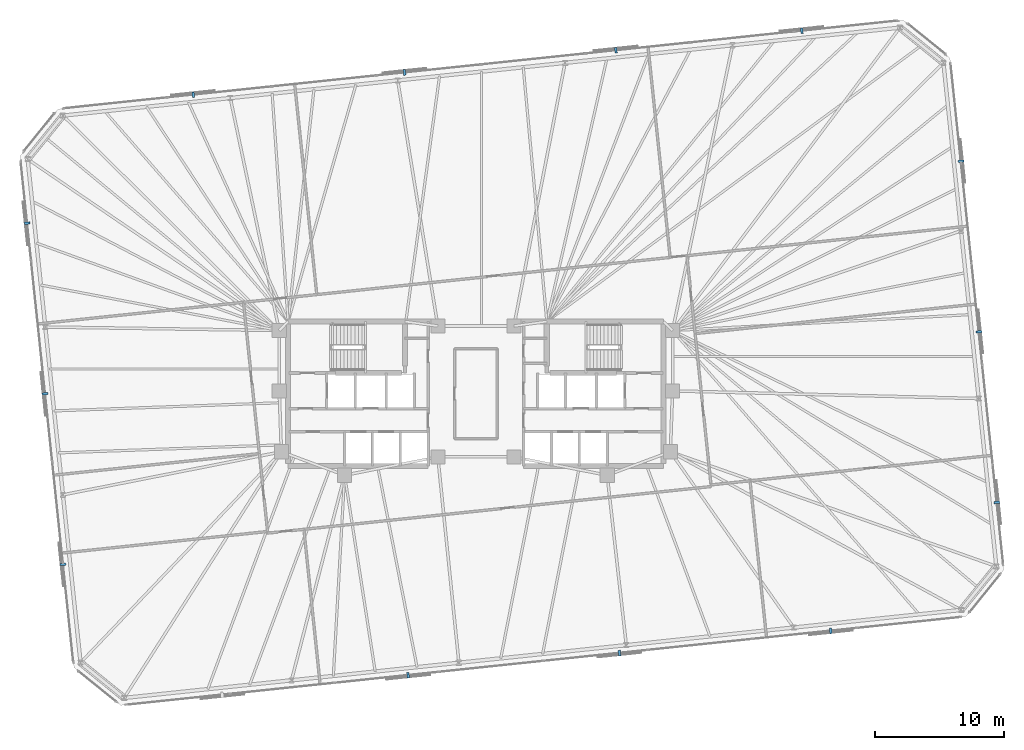
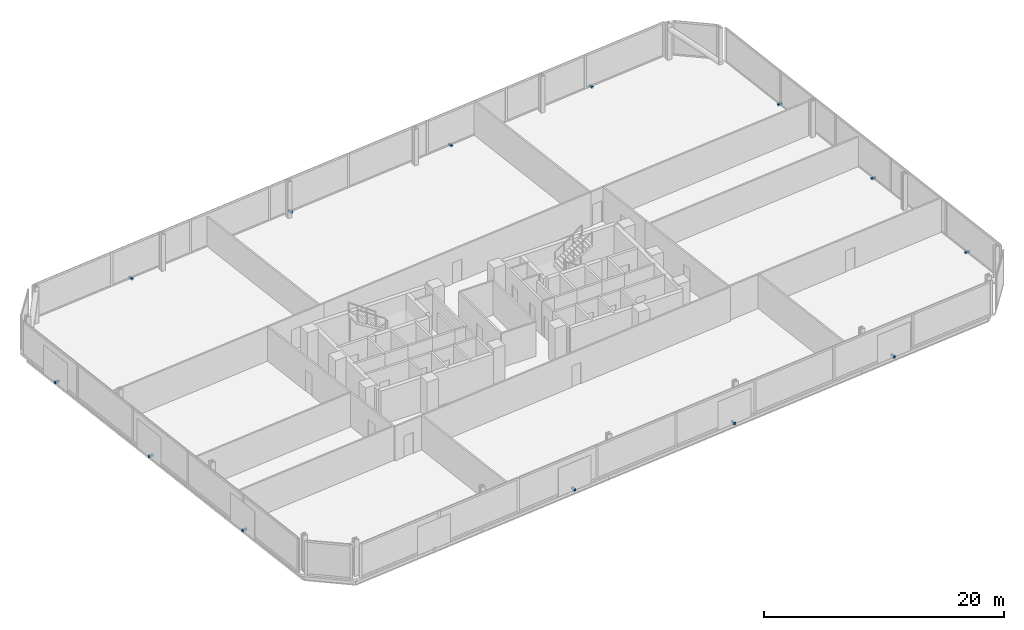
# One storey, part 17 of 18: 13 discrete accessories.
"""IFC4 building model written with IfcOpenShell, lengths in metres."""

from ifc_helpers import new_model, si_unit, direction, frame, origin, origin_2d, place, context, subcontext, project, spatial, rectangle, extrude, material, type_object, element, save


model = new_model("IFC4")

# Units and contexts
model_context = context("Model", 3, precision=1e-05, world=origin(), true_north=direction((0.0, 1.0)))
body_context = subcontext(model_context, "Body", "Model", "MODEL_VIEW")
ifc_project = project(units=[si_unit("LENGTHUNIT", "METRE"), si_unit("AREAUNIT", "SQUARE_METRE"), si_unit("VOLUMEUNIT", "CUBIC_METRE"), si_unit("PLANEANGLEUNIT", "RADIAN"), si_unit("MASSUNIT", "GRAM", prefix="KILO")], contexts=[model_context])

# Site, building, storey
site_placement = place(None, origin())
site = spatial("IfcSite", under=ifc_project, at=site_placement, CompositionType="ELEMENT")
building_placement = place(site_placement, origin())
building = spatial("IfcBuilding", under=site, at=building_placement, Name="Menara Jurai Vektor", CompositionType="ELEMENT")
storey_placement = place(building_placement, frame((0.0, 0.0, 135.5)))
storey = spatial("IfcBuildingStorey", under=building, at=storey_placement, Name="L34", CompositionType="ELEMENT", Elevation=135.5)

# Discrete accessories
ifc_material = material(Name="Steel S355", Category="steel")
discrete_accessory_type = type_object("IfcDiscreteAccessoryType", Name="ENV-ACC-BRACKET", PredefinedType="BRACKET", material=ifc_material)
for number, where, z_axis, x_axis, name in (
    (1, (-5.2548828125, -21.834716796875, -0.1298828125), (0.0, 0.0, 1.0), (0.994521895368, 0.104528463268, 0.0), "Solar Screen Stand-Off Bracket L34-S02"),
    (2, (11.1298828125, -20.112548828125, -0.1298828125), (0.0, 0.0, 1.0), (0.994521895368, 0.104528463268, 0.0), "Solar Screen Stand-Off Bracket L34-S03"),
    (3, (27.5146484375, -18.390380859375, -0.1298828125), (0.0, 0.0, 1.0), (0.994521895368, 0.104528463268, 0.0), "Solar Screen Stand-Off Bracket L34-S04"),
    (4, (40.397705078125, -8.42578125, -0.1298828125), (0.0, 0.0, 1.0), (-0.104528463268, 0.994521895368, 0.0), "Solar Screen Stand-Off Bracket L34-S05"),
    (5, (39.00732421875, 4.80126953125, -0.1298828125), (0.0, 0.0, 1.0), (-0.104528463268, 0.994521895368, 0.0), "Solar Screen Stand-Off Bracket L34-S06"),
    (6, (37.6171875, 18.028564453125, -0.1298828125), (0.0, 0.0, 1.0), (-0.104528463268, 0.994521895368, 0.0), "Solar Screen Stand-Off Bracket L34-S07"),
    (7, (25.2734375, 28.150146484375, -0.1298828125), (0.0, 0.0, 1.0), (-0.994521895368, -0.104528463268, 0.0), "Solar Screen Stand-Off Bracket L34-S08"),
    (8, (10.85498046875, 26.634765625, -0.1298828125), (0.0, 0.0, 1.0), (-0.994521895368, -0.104528463268, 0.0), "Solar Screen Stand-Off Bracket L34-S09"),
    (9, (-5.52978515625, 24.91259765625, -0.1298828125), (0.0, 0.0, 1.0), (-0.994521895368, -0.104528463268, 0.0), "Solar Screen Stand-Off Bracket L34-S10"),
    (10, (-21.91455078125, 23.1904296875, -0.1298828125), (0.0, 0.0, 1.0), (-0.994521895368, -0.104528463268, 0.0), "Solar Screen Stand-Off Bracket L34-S11"),
    (11, (-34.797607421875, 13.225830078125, -0.1298828125), (0.0, 0.0, 1.0), (0.104528463268, -0.994521895368, 0.0), "Solar Screen Stand-Off Bracket L34-S12"),
    (12, (-33.407470703125, -0.001220703125, -0.1298828125), (0.0, 0.0, 1.0), (0.104528463268, -0.994521895368, 0.0), "Solar Screen Stand-Off Bracket L34-S13"),
    (13, (-32.01708984375, -13.228515625, -0.1298828125), (0.0, 0.0, 1.0), (0.104528463268, -0.994521895368, 0.0), "Solar Screen Stand-Off Bracket L34-S14"),
):
    element("IfcDiscreteAccessory", number, at=place(storey_placement, frame(where, z_axis=z_axis, x_axis=x_axis)), inside=storey, type_object=discrete_accessory_type, Name=name, PredefinedType="BRACKET", context=body_context, shape_type="SweptSolid", body=[
        extrude(rectangle(XDim=0.179931640625, YDim=0.43994140625, at=origin_2d()), origin(), (0.0, 0.0, 1.0), 0.219970703125),
    ])

save(model, "model.ifc")
